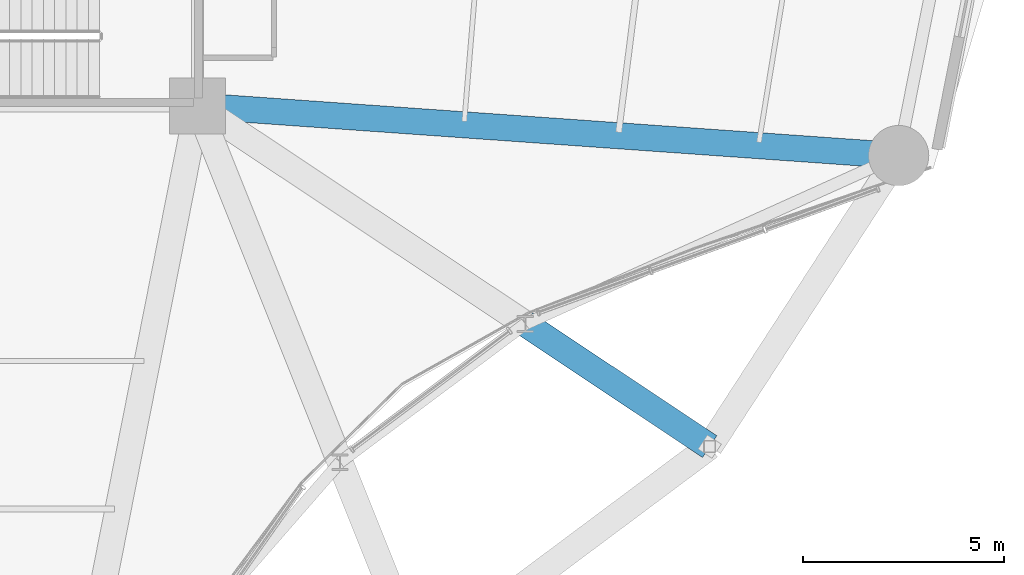
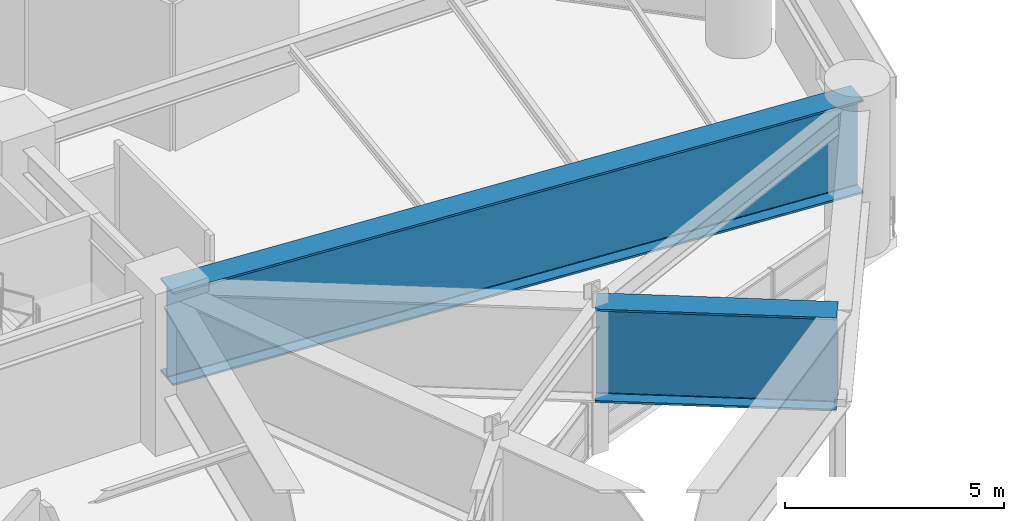
# One storey, part 23 of 53: 2 beams.
"""IFC4 building model written with IfcOpenShell, lengths in metres."""

from ifc_helpers import new_model, si_unit, direction, frame, origin, origin_2d, place, context, subcontext, project, spatial, i_section, extrude, material, material_profile, profile_set, type_object, element, save


model = new_model("IFC4")

# Units and contexts
model_context = context("Model", 3, precision=1e-05, world=origin(), true_north=direction((0.0, 1.0)))
body_context = subcontext(model_context, "Body", "Model", "MODEL_VIEW")
ifc_project = project(units=[si_unit("LENGTHUNIT", "METRE"), si_unit("AREAUNIT", "SQUARE_METRE"), si_unit("VOLUMEUNIT", "CUBIC_METRE"), si_unit("PLANEANGLEUNIT", "RADIAN"), si_unit("MASSUNIT", "GRAM", prefix="KILO")], contexts=[model_context])

# Site, building, storey
site_placement = place(None, origin())
site = spatial("IfcSite", under=ifc_project, at=site_placement, CompositionType="ELEMENT")
building_placement = place(site_placement, origin())
building = spatial("IfcBuilding", under=site, at=building_placement, Name="Kelanora Arch Commons", CompositionType="ELEMENT")
storey_placement = place(building_placement, frame((0.0, 0.0, 9.0)))
storey = spatial("IfcBuildingStorey", under=building, at=storey_placement, Name="L02", CompositionType="ELEMENT", Elevation=9.0)

# Beams
ifc_material = material(Name="Steel S355", Category="steel")
ifc_material_profile = material_profile(ifc_material, i_section(OverallWidth=0.64990234375, OverallDepth=2.60009765625, WebThickness=0.034912109375, FlangeThickness=0.054931640625, FilletRadius=0.028076171875, at=origin_2d()), Name="PG2600x650")
ifc_profile_set = profile_set([ifc_material_profile], Name="Steel S355")
beam_type = type_object("IfcBeamType", Name="BM-XFER-ARCH", PredefinedType="USERDEFINED", material=ifc_profile_set)
beam_1_placement = place(storey_placement, frame((90.156494140625, 45.573974609375, 2.800048828125), z_axis=(0.832581573439, -0.553902449507, 0.0), x_axis=(0.553902449507, 0.832581573439, 0.0)))
element("IfcBeam", 1, at=beam_1_placement, inside=storey, type_object=beam_type, Name="Radial Floor Girder BR-32 L02", ObjectType="TRANSFER_GIRDER", PredefinedType="USERDEFINED", context=body_context, shape_type="SweptSolid", body=[
    extrude(i_section(OverallWidth=0.64990234375, OverallDepth=2.60009765625, WebThickness=0.034912109375, FlangeThickness=0.054931640625, FilletRadius=0.028076171875, at=origin_2d()), origin(), (0.0, 0.0, 1.0), 5.510498046875),
])
beam_2_placement = place(storey_placement, frame((82.0, 51.0, 2.800048828125), z_axis=(0.997500683472, -0.070656821848, 0.0), x_axis=(0.070656821848, 0.997500683472, 0.0)))
element("IfcBeam", 2, at=beam_2_placement, inside=storey, type_object=beam_type, Name="Radial Floor Girder BR-34 L02", ObjectType="TRANSFER_GIRDER", PredefinedType="USERDEFINED", context=body_context, shape_type="SweptSolid", body=[
    extrude(i_section(OverallWidth=0.64990234375, OverallDepth=2.60009765625, WebThickness=0.034912109375, FlangeThickness=0.054931640625, FilletRadius=0.028076171875, at=origin_2d()), origin(), (0.0, 0.0, 1.0), 17.49072265625),
])

save(model, "model.ifc")
